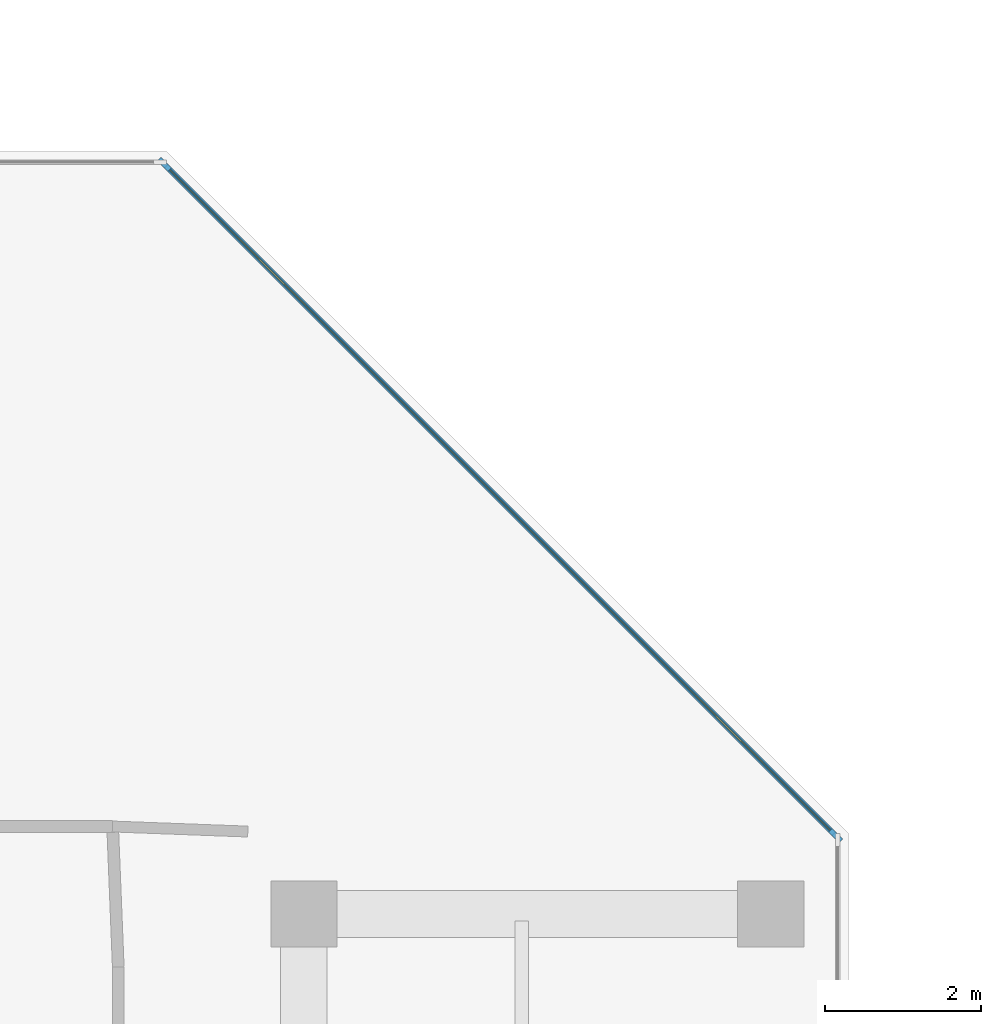
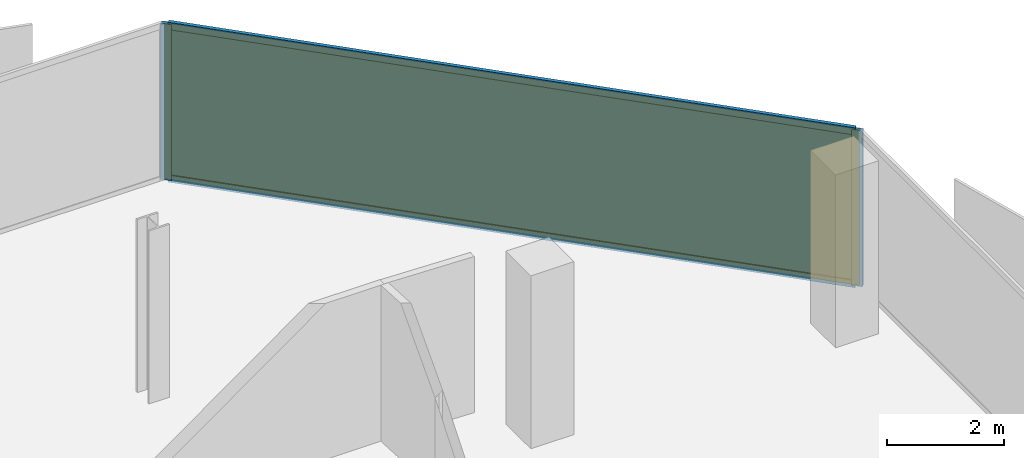
# One storey, part 11 of 15: 4 members, 1 curtain wall, 1 plate.
"""IFC4 building model written with IfcOpenShell, lengths in metres."""

from ifc_helpers import new_model, si_unit, direction, frame, frame_2d, origin, origin_2d, place, context, subcontext, project, spatial, rectangle, extrude, material, layer, layer_set, material_profile, profile_set, type_object, element, aggregate, save


model = new_model("IFC4")

# Units and contexts
model_context = context("Model", 3, precision=1e-05, world=origin(), true_north=direction((0.0, 1.0)))
body_context = subcontext(model_context, "Body", "Model", "MODEL_VIEW")
ifc_project = project(units=[si_unit("LENGTHUNIT", "METRE"), si_unit("AREAUNIT", "SQUARE_METRE"), si_unit("VOLUMEUNIT", "CUBIC_METRE"), si_unit("PLANEANGLEUNIT", "RADIAN"), si_unit("MASSUNIT", "GRAM", prefix="KILO")], contexts=[model_context])

# Member
ifc_material_1 = material(Name="Anodised Bronze Aluminium 6063-T6", Category="aluminium")
ifc_material_profile_1 = material_profile(ifc_material_1, rectangle(XDim=0.070068359375, YDim=0.18994140625, at=origin_2d()))
ifc_profile_set_1 = profile_set([ifc_material_profile_1], Name="Anodised Bronze Aluminium 6063-T6")
member_type_1 = type_object("IfcMemberType", Name="CW-SLC Mullion 70x190", PredefinedType="MULLION", material=ifc_profile_set_1)
site_placement = place(None, origin())
building_placement = place(site_placement, origin())
storey_placement = place(building_placement, frame((0.0, 0.0, 269.199951171875)))
member_1_placement = place(storey_placement, frame((12.606689453125, 24.03515625, 0.0), z_axis=(0.0, 0.0, 1.0), x_axis=(0.707106781187, 0.707106781187, 0.0)))
member_1 = element("IfcMember", 1, at=member_1_placement, type_object=member_type_1, Name="CW-SLC mullion 1", PredefinedType="MULLION", context=body_context, shape_type="SweptSolid", body=[
    extrude(rectangle(XDim=0.070068359375, YDim=0.18994140625, at=origin_2d()), origin(), (0.0, 0.0, 1.0), 3.25),
])

member_2_placement = place(storey_placement, frame((21.2353515625, 15.40673828125, 0.0), z_axis=(0.0, 0.0, 1.0), x_axis=(0.707106781187, 0.707106781187, 0.0)))
member_2 = element("IfcMember", 2, at=member_2_placement, type_object=member_type_1, Name="CW-SLC mullion 2", PredefinedType="MULLION", context=body_context, shape_type="SweptSolid", body=[
    extrude(rectangle(XDim=0.070068359375, YDim=0.18994140625, at=origin_2d()), origin(), (0.0, 0.0, 1.0), 3.25),
])

ifc_material_2 = material(Name="Anodised Bronze Aluminium 6063-T6", Category="aluminium")
ifc_material_profile_2 = material_profile(ifc_material_2, rectangle(XDim=0.070068359375, YDim=0.14990234375, at=origin_2d()))
ifc_profile_set_2 = profile_set([ifc_material_profile_2], Name="Anodised Bronze Aluminium 6063-T6")
member_type_2 = type_object("IfcMemberType", Name="CW-SLC Transom 70x150", PredefinedType="USERDEFINED", material=ifc_profile_set_2)
member_3_placement = place(storey_placement, frame((12.631591796875, 24.010498046875, 0.03515625), z_axis=(0.707096719691, -0.707116842538, 0.0), x_axis=(0.707116842538, 0.707096719691, 0.0)))
member_3 = element("IfcMember", 3, at=member_3_placement, type_object=member_type_2, Name="CW-SLC transom 1.1", ObjectType="TRANSOM", PredefinedType="USERDEFINED", context=body_context, shape_type="SweptSolid", body=[
    extrude(rectangle(XDim=0.070068359375, YDim=0.14990234375, at=origin_2d()), origin(), (0.0, 0.0, 1.0), 12.132568359375),
])

member_4_placement = place(storey_placement, frame((12.631591796875, 24.010498046875, 3.215087890625), z_axis=(0.707096719691, -0.707116842538, 0.0), x_axis=(0.707116842538, 0.707096719691, 0.0)))
member_4 = element("IfcMember", 4, at=member_4_placement, type_object=member_type_2, Name="CW-SLC transom 1.2", ObjectType="TRANSOM", PredefinedType="USERDEFINED", context=body_context, shape_type="SweptSolid", body=[
    extrude(rectangle(XDim=0.070068359375, YDim=0.14990234375, at=origin_2d()), origin(), (0.0, 0.0, 1.0), 12.132568359375),
])

# Plate
ifc_material_3 = material(Name="Low-E Solar Control Laminated Glass", Category="glass")
ifc_layer_1 = layer(ifc_material_3, 0.033935546875, Name="Low-E Solar Control Laminated Glass")
ifc_layer_set_1 = layer_set([ifc_layer_1], Name="Low-E Solar Control Laminated Glass")
plate_type = type_object("IfcPlateType", Name="CW-SLC Low-E Double Glazed Panel 34mm", PredefinedType="CURTAIN_PANEL", material=ifc_layer_set_1)
plate_placement = place(storey_placement, frame((16.9208984375, 19.720947265625, 0.06982421875), z_axis=(0.0, 0.0, 1.0), x_axis=(0.707106781187, -0.707106781187, 0.0)))
plate = element("IfcPlate", 5, at=plate_placement, type_object=plate_type, Name="CW-SLC panel 1.1", PredefinedType="CURTAIN_PANEL", context=body_context, shape_type="SweptSolid", body=[
    extrude(rectangle(XDim=12.132568359375, YDim=0.033935546875, at=origin_2d()), origin(), (0.0, 0.0, 1.0), 3.110107421875),
])

# Site, building, storey
site = spatial("IfcSite", under=ifc_project, at=site_placement, CompositionType="ELEMENT")
building = spatial("IfcBuilding", under=site, at=building_placement, Name="Khairoan Windgate Tower", CompositionType="ELEMENT")
storey = spatial("IfcBuildingStorey", under=building, at=storey_placement, Name="L64", CompositionType="ELEMENT", Elevation=269.199951171875)

# Curtain wall
ifc_material_4 = material(Name="Anodised Bronze Aluminium 6063-T6", Category="aluminium")
ifc_layer_2 = layer(ifc_material_4, 0.18994140625, Name="Anodised Bronze Aluminium 6063-T6")
ifc_layer_set_2 = layer_set([ifc_layer_2], Name="Anodised Bronze Aluminium 6063-T6")
curtain_wall_type = type_object("IfcCurtainWallType", Name="Diagonal Corner-Slice Facet Curtain Wall CW-SLC", PredefinedType="NOTDEFINED", material=ifc_layer_set_2)
curtain_wall_placement = place(storey_placement, frame((12.58203125, 24.06005859375, 0.0), z_axis=(0.0, 0.0, 1.0), x_axis=(0.707106781187, -0.707106781187, 0.0)))
curtain_wall = element("IfcCurtainWall", 6, at=curtain_wall_placement, inside=storey, type_object=curtain_wall_type, Name="L64 Crystal Slice Curtain Wall 10", PredefinedType="NOTDEFINED", context=body_context, shape_type="SweptSolid", body=[
    extrude(rectangle(XDim=12.2724609375, YDim=0.010009765625, at=frame_2d((6.13623046875, 0.0))), origin(), (0.0, 0.0, 1.0), 3.25),
])

aggregate(curtain_wall, [member_1, member_2, member_3, member_4, plate])

save(model, "model.ifc")
